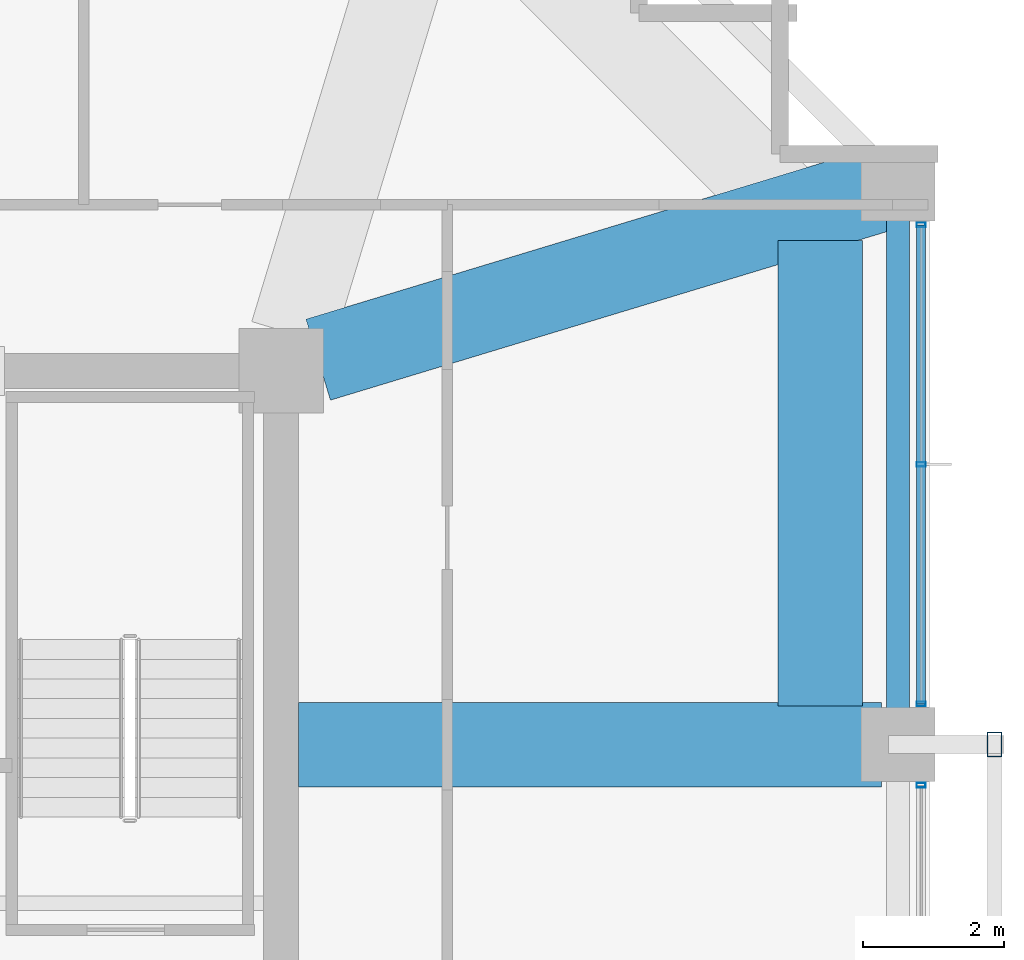
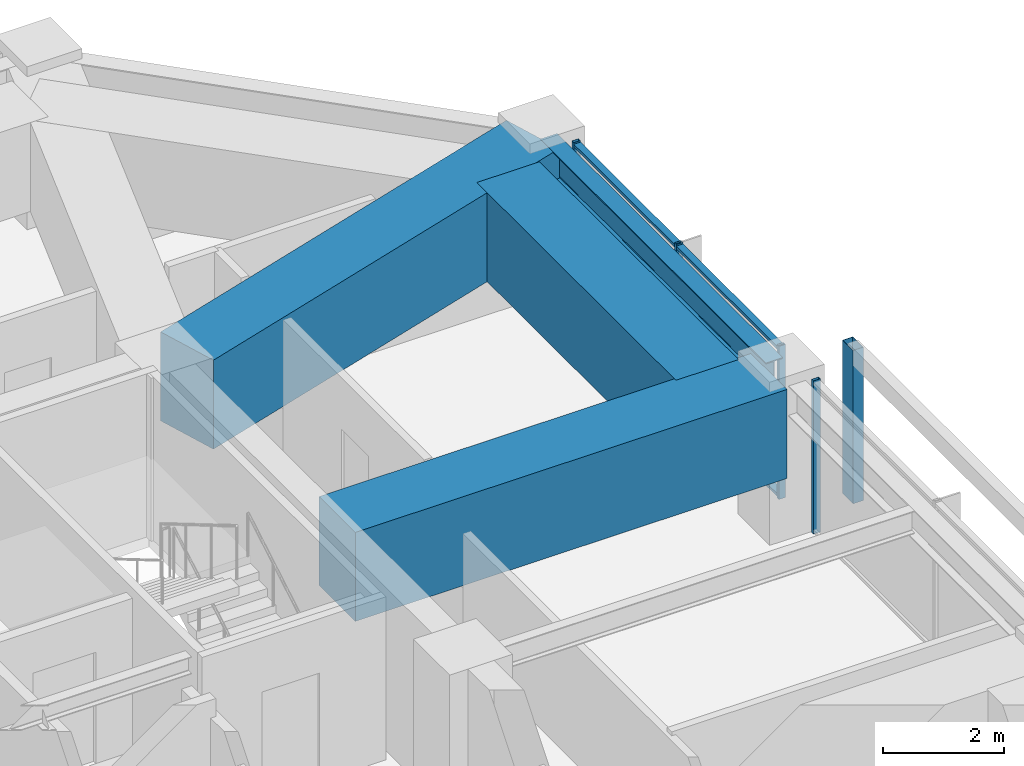
# One storey, part 13 of 28: 7 members, 4 beams, 2 elements without a shape of their own.
"""IFC4 building model written with IfcOpenShell, lengths in metres."""

from ifc_helpers import new_model, si_unit, direction, frame, origin, origin_2d, place, context, subcontext, project, spatial, rectangle, hollow_rectangle, i_section, extrude, material, material_profile, profile_set, type_object, element, aggregate, save


model = new_model("IFC4")

# Units and contexts
model_context = context("Model", 3, precision=1e-05, world=origin(), true_north=direction((0.0, 1.0)))
body_context = subcontext(model_context, "Body", "Model", "MODEL_VIEW")
ifc_project = project(units=[si_unit("LENGTHUNIT", "METRE"), si_unit("AREAUNIT", "SQUARE_METRE"), si_unit("VOLUMEUNIT", "CUBIC_METRE"), si_unit("PLANEANGLEUNIT", "RADIAN"), si_unit("MASSUNIT", "GRAM", prefix="KILO")], contexts=[model_context])

# Site, building, storey
site_placement = place(None, origin())
site = spatial("IfcSite", under=ifc_project, at=site_placement, CompositionType="ELEMENT")
building_placement = place(site_placement, origin())
building = spatial("IfcBuilding", under=site, at=building_placement, Name="Kolvaren Belvedere", CompositionType="ELEMENT")
storey_placement = place(building_placement, frame((0.0, 0.0, 125.0)))
storey = spatial("IfcBuildingStorey", under=building, at=storey_placement, Name="L36", CompositionType="ELEMENT", Elevation=125.0)

# Beams
ifc_material_1 = material(Name="Structural steel ASTM A992 Grade 50", Category="steel")
ifc_material_profile_1 = material_profile(ifc_material_1, i_section(OverallWidth=0.324951171875, OverallDepth=0.615966796875, WebThickness=0.013916015625, FlangeThickness=0.021484375, FilletRadius=0.02001953125, at=origin_2d()), Name="W24X117")
ifc_profile_set_1 = profile_set([ifc_material_profile_1], Name="Structural steel ASTM A992 Grade 50")
beam_type_1 = type_object("IfcBeamType", Name="BM-SPAN-W24X117", PredefinedType="SPANDREL", material=ifc_profile_set_1)
beam_1_placement = place(storey_placement, frame((18.64990234375, 4.836181640625, 2.7919921875), z_axis=(0.0, 1.0, 0.0), x_axis=(-1.0, 0.0, 0.0)))
element("IfcBeam", 1, at=beam_1_placement, inside=storey, type_object=beam_type_1, Name="L36 Perimeter Spandrel E3-E4", PredefinedType="SPANDREL", context=body_context, shape_type="SweptSolid", body=[
    extrude(i_section(OverallWidth=0.324951171875, OverallDepth=0.615966796875, WebThickness=0.013916015625, FlangeThickness=0.021484375, FilletRadius=0.02001953125, at=origin_2d()), origin(), (0.0, 0.0, 1.0), 7.4775390625),
])
ifc_material_2 = material(Name="Concrete C50/60", Category="concrete")
ifc_material_profile_2 = material_profile(ifc_material_2, rectangle(XDim=1.199951171875, YDim=1.800048828125, at=origin_2d()), Name="RC 1200X1800")
ifc_profile_set_2 = profile_set([ifc_material_profile_2], Name="Concrete C50/60")
beam_type_2 = type_object("IfcBeamType", Name="BM-TG-1800", PredefinedType="BEAM", material=ifc_profile_set_2)
beam_2_placement = place(storey_placement, frame((17.550048828125, 5.14990234375, 2.199951171875), z_axis=(0.0, 1.0, 0.0), x_axis=(-1.0, 0.0, 0.0)))
element("IfcBeam", 2, at=beam_2_placement, inside=storey, type_object=beam_type_2, Name="L36 Step Transfer Ring Girder E3-E4", PredefinedType="BEAM", context=body_context, shape_type="SweptSolid", body=[
    extrude(rectangle(XDim=1.199951171875, YDim=1.800048828125, at=origin_2d()), origin(), (0.0, 0.0, 1.0), 6.60009765625),
])
beam_3_placement = place(storey_placement, frame((10.14990234375, 4.60009765625, 2.199951171875), z_axis=(1.0, 0.0, 0.0), x_axis=(0.0, 1.0, 0.0)))
element("IfcBeam", 3, at=beam_3_placement, inside=storey, type_object=beam_type_2, Name="L36 East Radial Girder P", PredefinedType="BEAM", context=body_context, shape_type="SweptSolid", body=[
    extrude(rectangle(XDim=1.199951171875, YDim=1.800048828125, at=origin_2d()), origin(), (0.0, 0.0, 1.0), 8.263916015625),
])
beam_4_placement = place(storey_placement, frame((10.426513671875, 10.059326171875, 2.199951171875), z_axis=(0.957069465398, 0.289858652454, 0.0), x_axis=(-0.289858652454, 0.957069465398, 0.0)))
element("IfcBeam", 4, at=beam_4_placement, inside=storey, type_object=beam_type_2, Name="L36 Corner Core-to-Perimeter Girder CC3-E4", PredefinedType="BEAM", context=body_context, shape_type="SweptSolid", body=[
    extrude(rectangle(XDim=1.199951171875, YDim=1.800048828125, at=origin_2d()), origin(), (0.0, 0.0, 1.0), 8.38232421875),
])

# Curtain wall, members
ifc_material_3 = material(Name="Anodised pale-metal aluminium AA 6063-T6", Category="aluminium")
curtain_wall_type = type_object("IfcCurtainWallType", Name="CW-Z3-WAIST", PredefinedType="NOTDEFINED", material=ifc_material_3)
curtain_wall_1_placement = place(storey_placement, origin())
curtain_wall_1 = element("IfcCurtainWall", 5, at=curtain_wall_1_placement, inside=storey, type_object=curtain_wall_type, Name="L36 Unitised Curtain Wall FCW-L36-E-B1", PredefinedType="NOTDEFINED")
ifc_material_4 = material(Name="Anodised pale-metal aluminium AA 6063-T6", Category="aluminium")
ifc_material_profile_3 = material_profile(ifc_material_4, hollow_rectangle(XDim=0.06494140625, YDim=0.1298828125, WallThickness=0.00390625, at=origin_2d()), Name="ALU-MUL-130X65")
ifc_profile_set_3 = profile_set([ifc_material_profile_3], Name="Anodised pale-metal aluminium AA 6063-T6")
member_type_1 = type_object("IfcMemberType", Name="CW-MUL-130", PredefinedType="MULLION", material=ifc_profile_set_3)
member_1_placement = place(storey_placement, frame((18.97998046875, 11.972412109375, 0.0), z_axis=(0.0, 0.0, 1.0), x_axis=(0.0, 1.0, 0.0)))
member_1 = element("IfcMember", 6, at=member_1_placement, type_object=member_type_1, Name="FCW-L36-E-B1 Unitised Mullion 1", PredefinedType="MULLION", context=body_context, shape_type="SweptSolid", body=[
    extrude(hollow_rectangle(XDim=0.06494140625, YDim=0.1298828125, WallThickness=0.00390625, at=origin_2d()), origin(), (0.0, 0.0, 1.0), 3.10009765625),
])
member_2_placement = place(storey_placement, frame((18.97998046875, 8.574951171875, 0.0), z_axis=(0.0, 0.0, 1.0), x_axis=(0.0, 1.0, 0.0)))
member_2 = element("IfcMember", 7, at=member_2_placement, type_object=member_type_1, Name="FCW-L36-E-B1 Unitised Mullion 2", PredefinedType="MULLION", context=body_context, shape_type="SweptSolid", body=[
    extrude(hollow_rectangle(XDim=0.06494140625, YDim=0.1298828125, WallThickness=0.00390625, at=origin_2d()), origin(), (0.0, 0.0, 1.0), 3.10009765625),
])
member_3_placement = place(storey_placement, frame((18.97998046875, 5.177490234375, 0.0), z_axis=(0.0, 0.0, 1.0), x_axis=(0.0, 1.0, 0.0)))
member_3 = element("IfcMember", 8, at=member_3_placement, type_object=member_type_1, Name="FCW-L36-E-B1 Unitised Mullion 3", PredefinedType="MULLION", context=body_context, shape_type="SweptSolid", body=[
    extrude(hollow_rectangle(XDim=0.06494140625, YDim=0.1298828125, WallThickness=0.00390625, at=origin_2d()), origin(), (0.0, 0.0, 1.0), 3.10009765625),
])

# Curtain wall, member
curtain_wall_2_placement = place(storey_placement, origin())
curtain_wall_2 = element("IfcCurtainWall", 9, at=curtain_wall_2_placement, inside=storey, type_object=curtain_wall_type, Name="L36 Unitised Curtain Wall FCW-L36-E-B2", PredefinedType="NOTDEFINED")
member_4_placement = place(storey_placement, frame((18.97998046875, 4.0224609375, 0.0), z_axis=(0.0, 0.0, 1.0), x_axis=(0.0, 1.0, 0.0)))
member_4 = element("IfcMember", 10, at=member_4_placement, type_object=member_type_1, Name="FCW-L36-E-B2 Unitised Mullion 1", PredefinedType="MULLION", context=body_context, shape_type="SweptSolid", body=[
    extrude(hollow_rectangle(XDim=0.06494140625, YDim=0.1298828125, WallThickness=0.00390625, at=origin_2d()), origin(), (0.0, 0.0, 1.0), 3.10009765625),
])
aggregate(curtain_wall_2, [member_4])

# Member
ifc_material_5 = material(Name="Anodised pale-metal aluminium AA 6063-T6", Category="aluminium")
ifc_material_profile_4 = material_profile(ifc_material_5, hollow_rectangle(XDim=0.06005859375, YDim=0.1298828125, WallThickness=0.00390625, at=origin_2d()), Name="ALU-TRN-130X60")
ifc_profile_set_4 = profile_set([ifc_material_profile_4], Name="Anodised pale-metal aluminium AA 6063-T6")
member_type_2 = type_object("IfcMemberType", Name="CW-TRN-130", PredefinedType="USERDEFINED", material=ifc_profile_set_4)
member_5_placement = place(storey_placement, frame((18.97998046875, 11.972412109375, 0.06005859375), z_axis=(0.0, -1.0, 0.0), x_axis=(0.0, 0.0, 1.0)))
member_5 = element("IfcMember", 11, at=member_5_placement, type_object=member_type_2, Name="FCW-L36-E-B1 Sill Transom", ObjectType="TRANSOM", PredefinedType="USERDEFINED", context=body_context, shape_type="SweptSolid", body=[
    extrude(hollow_rectangle(XDim=0.06005859375, YDim=0.1298828125, WallThickness=0.00390625, at=origin_2d()), origin(), (0.0, 0.0, 1.0), 6.794921875),
])

member_6_placement = place(storey_placement, frame((18.97998046875, 11.972412109375, 3.0400390625), z_axis=(0.0, -1.0, 0.0), x_axis=(0.0, 0.0, 1.0)))
member_6 = element("IfcMember", 12, at=member_6_placement, type_object=member_type_2, Name="FCW-L36-E-B1 Head Transom", ObjectType="TRANSOM", PredefinedType="USERDEFINED", context=body_context, shape_type="SweptSolid", body=[
    extrude(hollow_rectangle(XDim=0.06005859375, YDim=0.1298828125, WallThickness=0.00390625, at=origin_2d()), origin(), (0.0, 0.0, 1.0), 6.794921875),
])

aggregate(curtain_wall_1, [member_1, member_2, member_3, member_5, member_6])

ifc_material_6 = material(Name="Anodised pale-metal aluminium AA 6063-T6", Category="aluminium")
ifc_material_profile_5 = material_profile(ifc_material_6, hollow_rectangle(XDim=0.199951171875, YDim=0.35009765625, WallThickness=0.007568359375, at=origin_2d()), Name="ALU-PF-350X200")
ifc_profile_set_5 = profile_set([ifc_material_profile_5], Name="Anodised pale-metal aluminium AA 6063-T6")
member_type_3 = type_object("IfcMemberType", Name="PF-FRAME-350", PredefinedType="USERDEFINED", material=ifc_profile_set_5)
member_7_placement = place(storey_placement, frame((20.02001953125, 4.60009765625, 0.0), z_axis=(0.0, 0.0, 1.0), x_axis=(1.0, 0.0, 0.0)))
element("IfcMember", 13, at=member_7_placement, inside=storey, type_object=member_type_3, Name="L36 Outboard Picture-Frame Vertical E1", ObjectType="PICTURE FRAME FIN", PredefinedType="USERDEFINED", context=body_context, shape_type="SweptSolid", body=[
    extrude(hollow_rectangle(XDim=0.199951171875, YDim=0.35009765625, WallThickness=0.007568359375, at=origin_2d()), origin(), (0.0, 0.0, 1.0), 3.10009765625),
])

save(model, "model.ifc")
